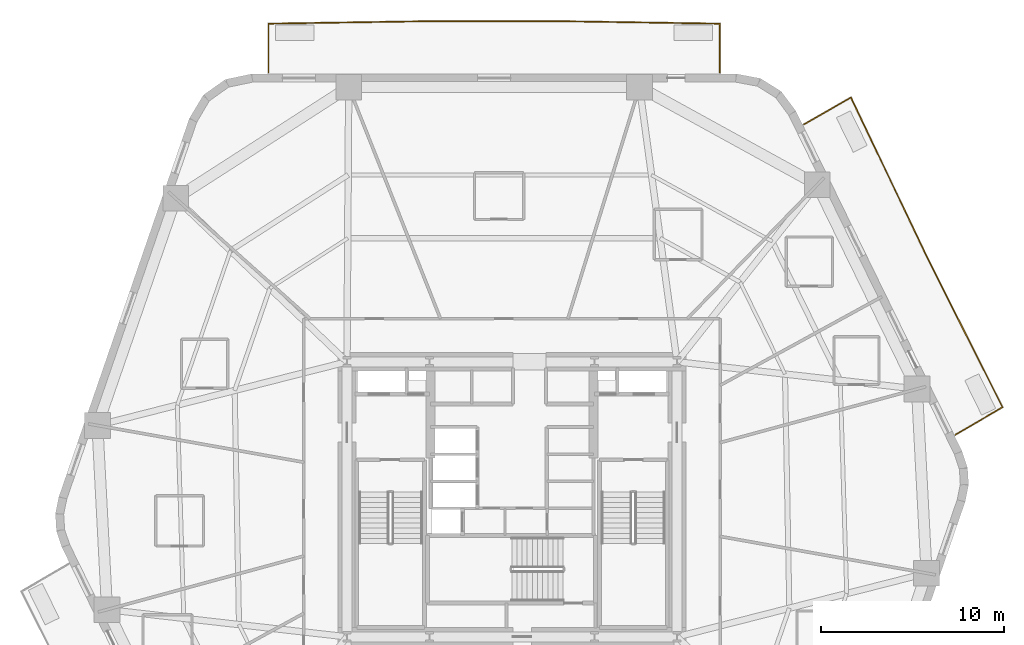
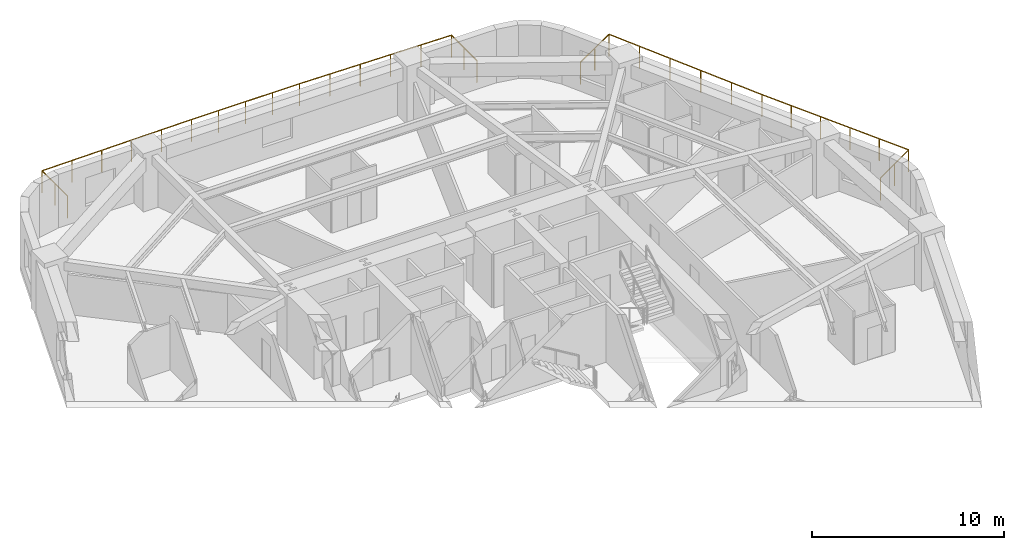
# One storey, part 10 of 10: 2 railings.
"""IFC4 building model written with IfcOpenShell, lengths in metres."""

from ifc_helpers import new_model, si_unit, direction, frame, origin, origin_2d, place, context, subcontext, project, spatial, rectangle, extrude, material, layer, layer_set, type_object, element, save


model = new_model("IFC4")

# Units and contexts
model_context = context("Model", 3, precision=1e-05, world=origin(), true_north=direction((0.0, 1.0)))
body_context = subcontext(model_context, "Body", "Model", "MODEL_VIEW")
ifc_project = project(units=[si_unit("LENGTHUNIT", "METRE"), si_unit("AREAUNIT", "SQUARE_METRE"), si_unit("VOLUMEUNIT", "CUBIC_METRE"), si_unit("PLANEANGLEUNIT", "RADIAN"), si_unit("MASSUNIT", "GRAM", prefix="KILO")], contexts=[model_context])

# Site, building, storey
site_placement = place(None, origin())
site = spatial("IfcSite", under=ifc_project, at=site_placement, CompositionType="ELEMENT")
building_placement = place(site_placement, origin())
building = spatial("IfcBuilding", under=site, at=building_placement, Name="Kilnhurst Terrace Hotel", CompositionType="ELEMENT")
storey_placement = place(building_placement, frame((0.0, 0.0, 56.39990234375)))
storey = spatial("IfcBuildingStorey", under=building, at=storey_placement, Name="L12", CompositionType="ELEMENT", Elevation=56.39990234375)

# Railings
ifc_material = material(Name="Laminated SentryGlas and Stainless Steel AISI 316L Balustrade", Category="steel")
ifc_layer = layer(ifc_material, 0.070068359375, Name="Laminated SentryGlas and Stainless Steel AISI 316L Balustrade")
ifc_layer_set = layer_set([ifc_layer], Name="Laminated SentryGlas and Stainless Steel AISI 316L Balustrade")
railing_type = type_object("IfcRailingType", Name="RLG-BAL-1420", PredefinedType="BALUSTRADE", material=ifc_layer_set)
railing_1_placement = place(storey_placement, frame((15.923095703125, 20.44873046875, 0.0)))
element("IfcRailing", 1, at=railing_1_placement, inside=storey, type_object=railing_type, Name="L12 Exterior Terrace Guardrail BAL-L1A.1", PredefinedType="BALUSTRADE", context=body_context, shape_type="SweptSolid", body=[
    extrude(rectangle(XDim=0.048095703125, YDim=0.048095703125, at=origin_2d()), frame((0.0, 0.0, 1.39599609375), z_axis=(0.86763656582, 0.497198943736, 0.0), x_axis=(-0.497198943736, 0.86763656582, 0.0)), (0.0, 0.0, 1.0), 2.95068359375),
    extrude(rectangle(XDim=0.048095703125, YDim=0.048095703125, at=origin_2d()), frame((2.56005859375, 1.467041015625, 1.39599609375), z_axis=(0.430147205624, -0.902758761516, 0.0), x_axis=(0.902758761516, 0.430147205624, 0.0)), (0.0, 0.0, 1.0), 9.67041015625),
    extrude(rectangle(XDim=0.048095703125, YDim=0.048095703125, at=origin_2d()), frame((6.7197265625, -7.262939453125, 1.39599609375), z_axis=(0.514495755428, -0.857492925713, 0.0), x_axis=(0.857492925713, 0.514495755428, 0.0)), (0.0, 0.0, 1.0), 0.00146484375),
    extrude(rectangle(XDim=0.048095703125, YDim=0.048095703125, at=origin_2d()), frame((6.720458984375, -7.26416015625, 1.39599609375), z_axis=(0.449648824937, -0.89320542667, 0.0), x_axis=(0.89320542667, 0.449648824937, 0.0)), (0.0, 0.0, 1.0), 9.136962890625),
    extrude(rectangle(XDim=0.048095703125, YDim=0.048095703125, at=origin_2d()), frame((10.828857421875, -15.42529296875, 1.39599609375), z_axis=(-0.863737120301, -0.503942642584, 0.0), x_axis=(0.503942642584, -0.863737120301, 0.0)), (0.0, 0.0, 1.0), 2.96728515625),
    extrude(rectangle(XDim=0.0419921875, YDim=0.0419921875, at=origin_2d()), origin(), (0.0, 0.0, 1.0), 1.371826171875),
    extrude(rectangle(XDim=0.0419921875, YDim=0.0419921875, at=origin_2d()), frame((1.280029296875, 0.7333984375, 0.0)), (0.0, 0.0, 1.0), 1.371826171875),
    extrude(rectangle(XDim=0.0419921875, YDim=0.0419921875, at=origin_2d()), frame((2.56005859375, 1.467041015625, 0.0)), (0.0, 0.0, 1.0), 1.371826171875),
    extrude(rectangle(XDim=0.0419921875, YDim=0.0419921875, at=origin_2d()), frame((3.39208984375, -0.279052734375, 0.0)), (0.0, 0.0, 1.0), 1.371826171875),
    extrude(rectangle(XDim=0.0419921875, YDim=0.0419921875, at=origin_2d()), frame((4.223876953125, -2.02490234375, 0.0)), (0.0, 0.0, 1.0), 1.371826171875),
    extrude(rectangle(XDim=0.0419921875, YDim=0.0419921875, at=origin_2d()), frame((5.055908203125, -3.77099609375, 0.0)), (0.0, 0.0, 1.0), 1.371826171875),
    extrude(rectangle(XDim=0.0419921875, YDim=0.0419921875, at=origin_2d()), frame((5.8876953125, -5.516845703125, 0.0)), (0.0, 0.0, 1.0), 1.371826171875),
    extrude(rectangle(XDim=0.0419921875, YDim=0.0419921875, at=origin_2d()), frame((6.7197265625, -7.262939453125, 0.0)), (0.0, 0.0, 1.0), 1.371826171875),
    extrude(rectangle(XDim=0.0419921875, YDim=0.0419921875, at=origin_2d()), frame((6.720458984375, -7.26416015625, 0.0)), (0.0, 0.0, 1.0), 1.371826171875),
    extrude(rectangle(XDim=0.0419921875, YDim=0.0419921875, at=origin_2d()), frame((7.542236328125, -8.896484375, 0.0)), (0.0, 0.0, 1.0), 1.371826171875),
    extrude(rectangle(XDim=0.0419921875, YDim=0.0419921875, at=origin_2d()), frame((8.36376953125, -10.528564453125, 0.0)), (0.0, 0.0, 1.0), 1.371826171875),
    extrude(rectangle(XDim=0.0419921875, YDim=0.0419921875, at=origin_2d()), frame((9.185546875, -12.160888671875, 0.0)), (0.0, 0.0, 1.0), 1.371826171875),
    extrude(rectangle(XDim=0.0419921875, YDim=0.0419921875, at=origin_2d()), frame((10.007080078125, -13.79296875, 0.0)), (0.0, 0.0, 1.0), 1.371826171875),
    extrude(rectangle(XDim=0.0419921875, YDim=0.0419921875, at=origin_2d()), frame((10.828857421875, -15.42529296875, 0.0)), (0.0, 0.0, 1.0), 1.371826171875),
    extrude(rectangle(XDim=0.0419921875, YDim=0.0419921875, at=origin_2d()), frame((9.54736328125, -16.1728515625, 0.0)), (0.0, 0.0, 1.0), 1.371826171875),
    extrude(rectangle(XDim=0.0419921875, YDim=0.0419921875, at=origin_2d()), frame((8.265869140625, -16.920654296875, 0.0)), (0.0, 0.0, 1.0), 1.371826171875),
])
railing_2_placement = place(storey_placement, frame((-13.281494140625, 23.280029296875, 0.0)))
element("IfcRailing", 2, at=railing_2_placement, inside=storey, type_object=railing_type, Name="L12 Exterior Terrace Guardrail BAL-L1B.1", PredefinedType="BALUSTRADE", context=body_context, shape_type="SweptSolid", body=[
    extrude(rectangle(XDim=0.048095703125, YDim=0.048095703125, at=origin_2d()), frame((0.0, 0.0, 1.39599609375), z_axis=(0.0, 1.0, 0.0), x_axis=(-1.0, 0.0, 0.0)), (0.0, 0.0, 1.0), 2.660888671875),
    extrude(rectangle(XDim=0.048095703125, YDim=0.048095703125, at=origin_2d()), frame((0.0, 2.660888671875, 1.39599609375), z_axis=(0.999881869157, 0.015370352358, 0.0), x_axis=(-0.015370352358, 0.999881869157, 0.0)), (0.0, 0.0, 1.0), 9.0537109375),
    extrude(rectangle(XDim=0.048095703125, YDim=0.048095703125, at=origin_2d()), frame((9.052734375, 2.800048828125, 1.39599609375), z_axis=(1.0, 0.0, 0.0), x_axis=(0.0, 1.0, 0.0)), (0.0, 0.0, 1.0), 6.508056640625),
    extrude(rectangle(XDim=0.048095703125, YDim=0.048095703125, at=origin_2d()), frame((15.560791015625, 2.800048828125, 1.39599609375), z_axis=(0.999881869157, -0.015370352358, 0.0), x_axis=(0.015370352358, 0.999881869157, 0.0)), (0.0, 0.0, 1.0), 9.0537109375),
    extrude(rectangle(XDim=0.048095703125, YDim=0.048095703125, at=origin_2d()), frame((24.613525390625, 2.660888671875, 1.39599609375), z_axis=(0.0, -1.0, 0.0), x_axis=(1.0, 0.0, 0.0)), (0.0, 0.0, 1.0), 2.660888671875),
    extrude(rectangle(XDim=0.0419921875, YDim=0.0419921875, at=origin_2d()), origin(), (0.0, 0.0, 1.0), 1.371826171875),
    extrude(rectangle(XDim=0.0419921875, YDim=0.0419921875, at=origin_2d()), frame((0.0, 1.33056640625, 0.0)), (0.0, 0.0, 1.0), 1.371826171875),
    extrude(rectangle(XDim=0.0419921875, YDim=0.0419921875, at=origin_2d()), frame((0.0, 2.660888671875, 0.0)), (0.0, 0.0, 1.0), 1.371826171875),
    extrude(rectangle(XDim=0.0419921875, YDim=0.0419921875, at=origin_2d()), frame((1.810546875, 2.688720703125, 0.0)), (0.0, 0.0, 1.0), 1.371826171875),
    extrude(rectangle(XDim=0.0419921875, YDim=0.0419921875, at=origin_2d()), frame((3.62109375, 2.716552734375, 0.0)), (0.0, 0.0, 1.0), 1.371826171875),
    extrude(rectangle(XDim=0.0419921875, YDim=0.0419921875, at=origin_2d()), frame((5.431640625, 2.744384765625, 0.0)), (0.0, 0.0, 1.0), 1.371826171875),
    extrude(rectangle(XDim=0.0419921875, YDim=0.0419921875, at=origin_2d()), frame((7.2421875, 2.772216796875, 0.0)), (0.0, 0.0, 1.0), 1.371826171875),
    extrude(rectangle(XDim=0.0419921875, YDim=0.0419921875, at=origin_2d()), frame((9.052734375, 2.800048828125, 0.0)), (0.0, 0.0, 1.0), 1.371826171875),
    extrude(rectangle(XDim=0.0419921875, YDim=0.0419921875, at=origin_2d()), frame((10.6796875, 2.800048828125, 0.0)), (0.0, 0.0, 1.0), 1.371826171875),
    extrude(rectangle(XDim=0.0419921875, YDim=0.0419921875, at=origin_2d()), frame((12.306640625, 2.800048828125, 0.0)), (0.0, 0.0, 1.0), 1.371826171875),
    extrude(rectangle(XDim=0.0419921875, YDim=0.0419921875, at=origin_2d()), frame((13.933837890625, 2.800048828125, 0.0)), (0.0, 0.0, 1.0), 1.371826171875),
    extrude(rectangle(XDim=0.0419921875, YDim=0.0419921875, at=origin_2d()), frame((15.560791015625, 2.800048828125, 0.0)), (0.0, 0.0, 1.0), 1.371826171875),
    extrude(rectangle(XDim=0.0419921875, YDim=0.0419921875, at=origin_2d()), frame((17.371337890625, 2.772216796875, 0.0)), (0.0, 0.0, 1.0), 1.371826171875),
    extrude(rectangle(XDim=0.0419921875, YDim=0.0419921875, at=origin_2d()), frame((19.181884765625, 2.744384765625, 0.0)), (0.0, 0.0, 1.0), 1.371826171875),
    extrude(rectangle(XDim=0.0419921875, YDim=0.0419921875, at=origin_2d()), frame((20.992431640625, 2.716552734375, 0.0)), (0.0, 0.0, 1.0), 1.371826171875),
    extrude(rectangle(XDim=0.0419921875, YDim=0.0419921875, at=origin_2d()), frame((22.802978515625, 2.688720703125, 0.0)), (0.0, 0.0, 1.0), 1.371826171875),
    extrude(rectangle(XDim=0.0419921875, YDim=0.0419921875, at=origin_2d()), frame((24.613525390625, 2.660888671875, 0.0)), (0.0, 0.0, 1.0), 1.371826171875),
    extrude(rectangle(XDim=0.0419921875, YDim=0.0419921875, at=origin_2d()), frame((24.613525390625, 1.33056640625, 0.0)), (0.0, 0.0, 1.0), 1.371826171875),
    extrude(rectangle(XDim=0.0419921875, YDim=0.0419921875, at=origin_2d()), frame((24.613525390625, 0.0, 0.0)), (0.0, 0.0, 1.0), 1.371826171875),
])

save(model, "model.ifc")
